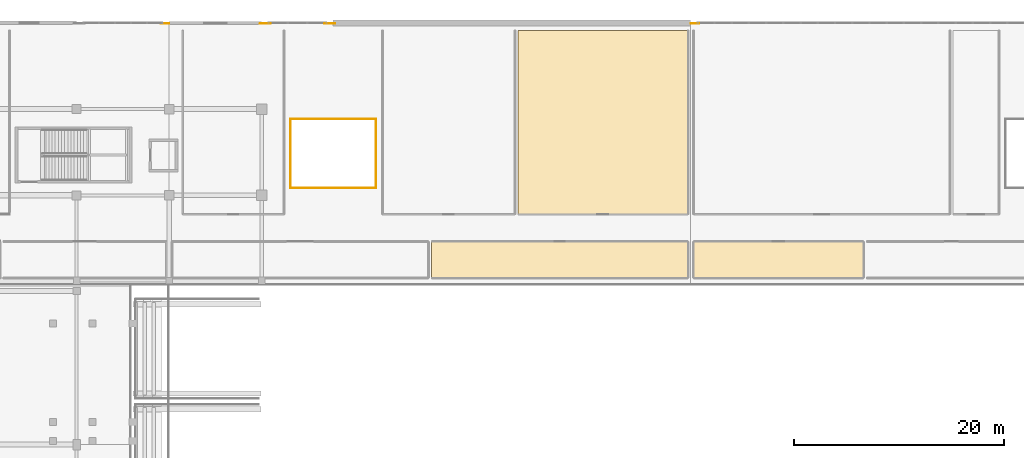
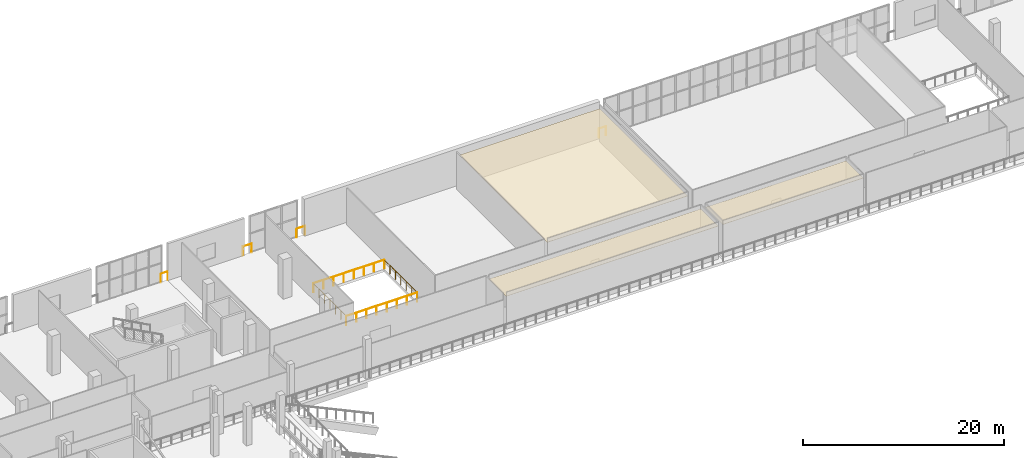
# One storey, part 126 of 129: 8 railings, 3 coverings.
"""IFC4 building model written with IfcOpenShell, lengths in metres."""

from ifc_helpers import new_model, si_unit, direction, frame, origin, origin_2d, place, context, subcontext, project, spatial, polyline, circle, outline, extrude, material, layer, layer_set, type_object, element, save


model = new_model("IFC4")

# Units and contexts
model_context = context("Model", 3, precision=1e-05, world=origin(), true_north=direction((0.0, 1.0)))
body_context = subcontext(model_context, "Body", "Model", "MODEL_VIEW")
ifc_project = project(units=[si_unit("LENGTHUNIT", "METRE"), si_unit("AREAUNIT", "SQUARE_METRE"), si_unit("VOLUMEUNIT", "CUBIC_METRE"), si_unit("PLANEANGLEUNIT", "RADIAN"), si_unit("MASSUNIT", "GRAM", prefix="KILO")], contexts=[model_context])

# Site, building, storey
site_placement = place(None, origin())
site = spatial("IfcSite", under=ifc_project, at=site_placement, CompositionType="ELEMENT")
building_placement = place(site_placement, origin())
building = spatial("IfcBuilding", under=site, at=building_placement, Name="Koshinbarg Plaza Stadium", CompositionType="ELEMENT")
storey_placement = place(building_placement, frame((0.0, 0.0, 5.39990234375)))
storey = spatial("IfcBuildingStorey", under=building, at=storey_placement, Name="L01", CompositionType="ELEMENT", Elevation=5.39990234375)

# Coverings
ifc_material_1 = material(Name="Perforated gypsum acoustic ceiling board")
ifc_layer = layer(ifc_material_1, 0.030029296875)
ifc_layer_set = layer_set([ifc_layer], Name="Perforated gypsum acoustic ceiling board")
covering_type = type_object("IfcCoveringType", Name="COV-CEIL-01", PredefinedType="CEILING", material=ifc_layer_set)
covering_1_placement = place(storey_placement, frame((0.0, 0.0, 3.9501953125)))
element("IfcCovering", 1, at=covering_1_placement, inside=storey, type_object=covering_type, Name="L01 Interactive Football Exhibition Hall acoustic ceiling 009", PredefinedType="CEILING", context=body_context, shape_type="SweptSolid", body=[
    extrude(outline(polyline([(97.35009765625, 127.7451171875), (121.72998046875, 127.7451171875), (121.72998046875, 131.199951171875), (97.35009765625, 131.199951171875), (97.35009765625, 127.7451171875)])), origin(), (0.0, 0.0, 1.0), 0.02978515625),
])
covering_2_placement = place(storey_placement, frame((0.0, 0.0, 3.9501953125)))
element("IfcCovering", 2, at=covering_2_placement, inside=storey, type_object=covering_type, Name="L01 Sports Museum Upper Hall acoustic ceiling 010", PredefinedType="CEILING", context=body_context, shape_type="SweptSolid", body=[
    extrude(outline(polyline([(105.57666015625, 133.800048828125), (121.72998046875, 133.800048828125), (121.72998046875, 151.300048828125), (105.57666015625, 151.300048828125), (105.57666015625, 133.800048828125)])), origin(), (0.0, 0.0, 1.0), 0.02978515625),
])
covering_3_placement = place(storey_placement, frame((0.0, 0.0, 3.9501953125)))
element("IfcCovering", 3, at=covering_3_placement, inside=storey, type_object=covering_type, Name="L01 Interactive Football Exhibition Hall acoustic ceiling 011", PredefinedType="CEILING", context=body_context, shape_type="SweptSolid", body=[
    extrude(outline(polyline([(122.27001953125, 127.7451171875), (138.42333984375, 127.7451171875), (138.42333984375, 131.199951171875), (122.27001953125, 131.199951171875), (122.27001953125, 127.7451171875)])), origin(), (0.0, 0.0, 1.0), 0.02978515625),
])

# Railings
ifc_material_2 = material(Name="Toughened laminated glass and stainless steel sightline balustrade", Category="steel")
railing_type = type_object("IfcRailingType", Name="RL-BOWL-1100", PredefinedType="BALUSTRADE", material=ifc_material_2)
railing_1_placement = place(storey_placement, frame((83.919921875, 136.320068359375, 0.0)))
element("IfcRailing", 4, at=railing_1_placement, inside=storey, type_object=railing_type, Name="L01 atrium light-well balustrade 0031", PredefinedType="BALUSTRADE", context=body_context, shape_type="SweptSolid", body=[
    extrude(circle(Radius=0.02392578125, at=origin_2d()), frame((0.0, 0.0, 1.076171875), z_axis=(1.0, 0.0, 0.0), x_axis=(0.0, 1.0, 0.0)), (0.0, 0.0, 1.0), 8.16015625),
    extrude(circle(Radius=0.02099609375, at=origin_2d()), origin(), (0.0, 0.0, 1.0), 1.052001953125),
    extrude(circle(Radius=0.02099609375, at=origin_2d()), frame((1.165771484375, 0.0, 0.0)), (0.0, 0.0, 1.0), 1.052001953125),
    extrude(circle(Radius=0.02099609375, at=origin_2d()), frame((2.33154296875, 0.0, 0.0)), (0.0, 0.0, 1.0), 1.052001953125),
    extrude(circle(Radius=0.02099609375, at=origin_2d()), frame((3.497314453125, 0.0, 0.0)), (0.0, 0.0, 1.0), 1.052001953125),
    extrude(circle(Radius=0.02099609375, at=origin_2d()), frame((4.662841796875, 0.0, 0.0)), (0.0, 0.0, 1.0), 1.052001953125),
    extrude(circle(Radius=0.02099609375, at=origin_2d()), frame((5.82861328125, 0.0, 0.0)), (0.0, 0.0, 1.0), 1.052001953125),
    extrude(circle(Radius=0.02099609375, at=origin_2d()), frame((6.994384765625, 0.0, 0.0)), (0.0, 0.0, 1.0), 1.052001953125),
    extrude(circle(Radius=0.02099609375, at=origin_2d()), frame((8.16015625, 0.0, 0.0)), (0.0, 0.0, 1.0), 1.052001953125),
])
railing_2_placement = place(storey_placement, frame((92.080078125, 136.320068359375, 0.0)))
element("IfcRailing", 5, at=railing_2_placement, inside=storey, type_object=railing_type, Name="L01 atrium light-well balustrade 0032", PredefinedType="BALUSTRADE", context=body_context, shape_type="SweptSolid", body=[
    extrude(circle(Radius=0.02392578125, at=origin_2d()), frame((0.0, 0.0, 1.076171875), z_axis=(0.0, 1.0, 0.0), x_axis=(-1.0, 0.0, 0.0)), (0.0, 0.0, 1.0), 6.559814453125),
    extrude(circle(Radius=0.02099609375, at=origin_2d()), origin(), (0.0, 0.0, 1.0), 1.052001953125),
    extrude(circle(Radius=0.02099609375, at=origin_2d()), frame((0.0, 1.09326171875, 0.0)), (0.0, 0.0, 1.0), 1.052001953125),
    extrude(circle(Radius=0.02099609375, at=origin_2d()), frame((0.0, 2.1865234375, 0.0)), (0.0, 0.0, 1.0), 1.052001953125),
    extrude(circle(Radius=0.02099609375, at=origin_2d()), frame((0.0, 3.27978515625, 0.0)), (0.0, 0.0, 1.0), 1.052001953125),
    extrude(circle(Radius=0.02099609375, at=origin_2d()), frame((0.0, 4.373291015625, 0.0)), (0.0, 0.0, 1.0), 1.052001953125),
    extrude(circle(Radius=0.02099609375, at=origin_2d()), frame((0.0, 5.466552734375, 0.0)), (0.0, 0.0, 1.0), 1.052001953125),
    extrude(circle(Radius=0.02099609375, at=origin_2d()), frame((0.0, 6.559814453125, 0.0)), (0.0, 0.0, 1.0), 1.052001953125),
])
railing_3_placement = place(storey_placement, frame((92.080078125, 142.8798828125, 0.0)))
element("IfcRailing", 6, at=railing_3_placement, inside=storey, type_object=railing_type, Name="L01 atrium light-well balustrade 0033", PredefinedType="BALUSTRADE", context=body_context, shape_type="SweptSolid", body=[
    extrude(circle(Radius=0.02392578125, at=origin_2d()), frame((0.0, 0.0, 1.076171875), z_axis=(-1.0, 0.0, 0.0), x_axis=(0.0, -1.0, 0.0)), (0.0, 0.0, 1.0), 8.16015625),
    extrude(circle(Radius=0.02099609375, at=origin_2d()), origin(), (0.0, 0.0, 1.0), 1.052001953125),
    extrude(circle(Radius=0.02099609375, at=origin_2d()), frame((-1.165771484375, 0.0, 0.0)), (0.0, 0.0, 1.0), 1.052001953125),
    extrude(circle(Radius=0.02099609375, at=origin_2d()), frame((-2.33154296875, 0.0, 0.0)), (0.0, 0.0, 1.0), 1.052001953125),
    extrude(circle(Radius=0.02099609375, at=origin_2d()), frame((-3.497314453125, 0.0, 0.0)), (0.0, 0.0, 1.0), 1.052001953125),
    extrude(circle(Radius=0.02099609375, at=origin_2d()), frame((-4.662841796875, 0.0, 0.0)), (0.0, 0.0, 1.0), 1.052001953125),
    extrude(circle(Radius=0.02099609375, at=origin_2d()), frame((-5.82861328125, 0.0, 0.0)), (0.0, 0.0, 1.0), 1.052001953125),
    extrude(circle(Radius=0.02099609375, at=origin_2d()), frame((-6.994384765625, 0.0, 0.0)), (0.0, 0.0, 1.0), 1.052001953125),
    extrude(circle(Radius=0.02099609375, at=origin_2d()), frame((-8.16015625, 0.0, 0.0)), (0.0, 0.0, 1.0), 1.052001953125),
])
railing_4_placement = place(storey_placement, frame((83.919921875, 142.8798828125, 0.0)))
element("IfcRailing", 7, at=railing_4_placement, inside=storey, type_object=railing_type, Name="L01 atrium light-well balustrade 0034", PredefinedType="BALUSTRADE", context=body_context, shape_type="SweptSolid", body=[
    extrude(circle(Radius=0.02392578125, at=origin_2d()), frame((0.0, 0.0, 1.076171875), z_axis=(0.0, -1.0, 0.0), x_axis=(1.0, 0.0, 0.0)), (0.0, 0.0, 1.0), 6.559814453125),
    extrude(circle(Radius=0.02099609375, at=origin_2d()), origin(), (0.0, 0.0, 1.0), 1.052001953125),
    extrude(circle(Radius=0.02099609375, at=origin_2d()), frame((0.0, -1.09326171875, 0.0)), (0.0, 0.0, 1.0), 1.052001953125),
    extrude(circle(Radius=0.02099609375, at=origin_2d()), frame((0.0, -2.1865234375, 0.0)), (0.0, 0.0, 1.0), 1.052001953125),
    extrude(circle(Radius=0.02099609375, at=origin_2d()), frame((0.0, -3.27978515625, 0.0)), (0.0, 0.0, 1.0), 1.052001953125),
    extrude(circle(Radius=0.02099609375, at=origin_2d()), frame((0.0, -4.373291015625, 0.0)), (0.0, 0.0, 1.0), 1.052001953125),
    extrude(circle(Radius=0.02099609375, at=origin_2d()), frame((0.0, -5.466552734375, 0.0)), (0.0, 0.0, 1.0), 1.052001953125),
    extrude(circle(Radius=0.02099609375, at=origin_2d()), frame((0.0, -6.559814453125, 0.0)), (0.0, 0.0, 1.0), 1.052001953125),
])
railing_5_placement = place(storey_placement, frame((71.6005859375, 151.919921875, 0.0)))
element("IfcRailing", 8, at=railing_5_placement, inside=storey, type_object=railing_type, Name="L01 deck edge safety balustrade 0039", PredefinedType="BALUSTRADE", context=body_context, shape_type="SweptSolid", body=[
    extrude(circle(Radius=0.02392578125, at=origin_2d()), frame((0.0, 0.0, 1.076171875), z_axis=(1.0, 0.0, 0.0), x_axis=(0.0, 1.0, 0.0)), (0.0, 0.0, 1.0), 0.79931640625),
    extrude(circle(Radius=0.02099609375, at=origin_2d()), origin(), (0.0, 0.0, 1.0), 1.052001953125),
    extrude(circle(Radius=0.02099609375, at=origin_2d()), frame((0.79931640625, 0.0, 0.0)), (0.0, 0.0, 1.0), 1.052001953125),
])
for number, where, name in (
    (9, (81.041015625, 151.919921875, 0.0), "L01 deck edge safety balustrade 0040"),
    (10, (87.184814453125, 151.919921875, 0.0), "L01 deck edge safety balustrade 0041"),
):
    element("IfcRailing", number, at=place(storey_placement, frame(where)), inside=storey, type_object=railing_type, Name=name, PredefinedType="BALUSTRADE", context=body_context, shape_type="SweptSolid", body=[
        extrude(circle(Radius=0.02392578125, at=origin_2d()), frame((0.0, 0.0, 1.076171875), z_axis=(1.0, 0.0, 0.0), x_axis=(0.0, 1.0, 0.0)), (0.0, 0.0, 1.0), 0.99951171875),
        extrude(circle(Radius=0.02099609375, at=origin_2d()), origin(), (0.0, 0.0, 1.0), 1.052001953125),
        extrude(circle(Radius=0.02099609375, at=origin_2d()), frame((0.99951171875, 0.0, 0.0)), (0.0, 0.0, 1.0), 1.052001953125),
    ])
railing_6_placement = place(storey_placement, frame((122.0, 151.919921875, 0.0)))
element("IfcRailing", 11, at=railing_6_placement, inside=storey, type_object=railing_type, Name="L01 deck edge safety balustrade 0042", PredefinedType="BALUSTRADE", context=body_context, shape_type="SweptSolid", body=[
    extrude(circle(Radius=0.02392578125, at=origin_2d()), frame((0.0, 0.0, 1.076171875), z_axis=(1.0, 0.0, 0.0), x_axis=(0.0, 1.0, 0.0)), (0.0, 0.0, 1.0), 0.79931640625),
    extrude(circle(Radius=0.02099609375, at=origin_2d()), origin(), (0.0, 0.0, 1.0), 1.052001953125),
    extrude(circle(Radius=0.02099609375, at=origin_2d()), frame((0.79931640625, 0.0, 0.0)), (0.0, 0.0, 1.0), 1.052001953125),
])

save(model, "model.ifc")
